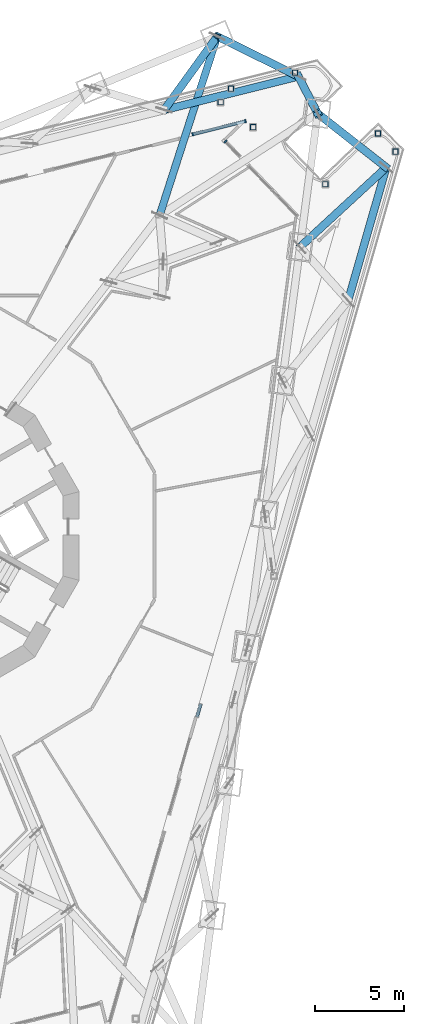
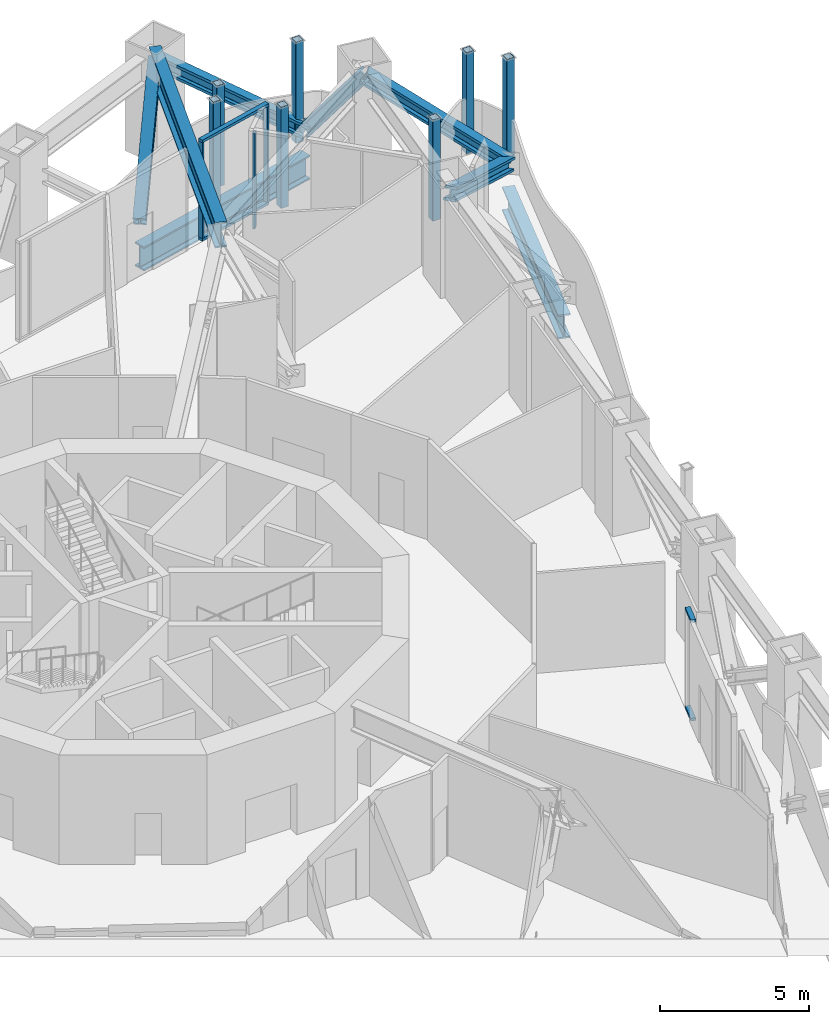
# One storey, part 6 of 26: 21 members, 1 beam, 3 elements without a shape of their own.
"""IFC4 building model written with IfcOpenShell, lengths in metres."""

from ifc_helpers import new_model, si_unit, direction, frame, origin, origin_2d, place, context, subcontext, project, spatial, rectangle, hollow_rectangle, i_section, extrude, material, layer, layer_set, material_profile, profile_set, type_object, element, aggregate, save


model = new_model("IFC4")

# Units and contexts
model_context = context("Model", 3, precision=1e-05, world=origin(), true_north=direction((0.0, 1.0)))
body_context = subcontext(model_context, "Body", "Model", "MODEL_VIEW")
ifc_project = project(units=[si_unit("LENGTHUNIT", "METRE"), si_unit("AREAUNIT", "SQUARE_METRE"), si_unit("VOLUMEUNIT", "CUBIC_METRE"), si_unit("PLANEANGLEUNIT", "RADIAN"), si_unit("MASSUNIT", "GRAM", prefix="KILO")], contexts=[model_context])

# Site, building, storey
site_placement = place(None, origin())
site = spatial("IfcSite", under=ifc_project, at=site_placement, CompositionType="ELEMENT")
building_placement = place(site_placement, origin())
building = spatial("IfcBuilding", under=site, at=building_placement, Name="Trine Commons Tower", CompositionType="ELEMENT")
storey_placement = place(building_placement, frame((0.0, 0.0, 119.699951171875)))
storey = spatial("IfcBuildingStorey", under=building, at=storey_placement, Name="L30", CompositionType="ELEMENT", Elevation=119.699951171875)

# Curtain wall, members
ifc_material_1 = material(Name="Sky lounge glazing: anodised aluminium frame with low-emissivity double glazed unit, solar control", Category="aluminium")
ifc_layer = layer(ifc_material_1, 0.179931640625)
ifc_layer_set = layer_set([ifc_layer], Name="Sky lounge glazing: anodised aluminium frame with low-emissivity double glazed unit, solar control")
curtain_wall_type = type_object("IfcCurtainWallType", Name="Sky lounge glazing curtain wall CW5", PredefinedType="NOTDEFINED", material=ifc_layer_set)
curtain_wall_1_placement = place(storey_placement, origin())
curtain_wall_1 = element("IfcCurtainWall", 1, at=curtain_wall_1_placement, inside=storey, type_object=curtain_wall_type, Name="Sky lounge glazing L30 F1.3", PredefinedType="NOTDEFINED")
ifc_material_2 = material(Name="Anodised aluminium, bronze finish", Category="aluminium")
ifc_material_profile_1 = material_profile(ifc_material_2, rectangle(XDim=0.179931640625, YDim=0.074951171875, at=origin_2d()), Name="Mullion 75x180")
ifc_profile_set_1 = profile_set([ifc_material_profile_1], Name="Anodised aluminium, bronze finish")
member_type_1 = type_object("IfcMemberType", Name="Mullion 75x180, Anodised aluminium, bronze finish", PredefinedType="MULLION", material=ifc_profile_set_1)
member_1_placement = place(storey_placement, frame((95.6435546875, 85.01220703125, 0.110107421875), z_axis=(0.0, 0.0, 1.0), x_axis=(-0.2419218956, 0.970295726276, 0.0)))
member_1 = element("IfcMember", 2, at=member_1_placement, type_object=member_type_1, Name="CW5 mullion 1.1", PredefinedType="MULLION", context=body_context, shape_type="SweptSolid", body=[
    extrude(rectangle(XDim=0.179931640625, YDim=0.074951171875, at=origin_2d()), origin(), (0.0, 0.0, 1.0), 3.929931640625),
])
member_2_placement = place(storey_placement, frame((98.587158203125, 85.74609375, 0.110107421875), z_axis=(0.0, 0.0, 1.0), x_axis=(-0.2419218956, 0.970295726276, 0.0)))
member_2 = element("IfcMember", 3, at=member_2_placement, type_object=member_type_1, Name="CW5 mullion 2.1", PredefinedType="MULLION", context=body_context, shape_type="SweptSolid", body=[
    extrude(rectangle(XDim=0.179931640625, YDim=0.074951171875, at=origin_2d()), origin(), (0.0, 0.0, 1.0), 3.929931640625),
])

# Curtain wall, member
curtain_wall_2_placement = place(storey_placement, origin())
curtain_wall_2 = element("IfcCurtainWall", 4, at=curtain_wall_2_placement, inside=storey, type_object=curtain_wall_type, Name="Sky lounge glazing L30 P2.1", PredefinedType="NOTDEFINED")
member_3_placement = place(storey_placement, frame((97.47607421875, 84.606689453125, 0.110107421875), z_axis=(0.0, 0.0, 1.0), x_axis=(0.719339800339, 0.694658370459, 0.0)))
member_3 = element("IfcMember", 5, at=member_3_placement, type_object=member_type_1, Name="CW5 mullion 1.1", PredefinedType="MULLION", context=body_context, shape_type="SweptSolid", body=[
    extrude(rectangle(XDim=0.179931640625, YDim=0.074951171875, at=origin_2d()), origin(), (0.0, 0.0, 1.0), 3.929931640625),
])
aggregate(curtain_wall_2, [member_3])

# Beam
ifc_material_3 = material(Name="Structural steel ASTM A992 Gr50", Category="steel")
ifc_material_profile_2 = material_profile(ifc_material_3, i_section(OverallWidth=0.412841796875, OverallDepth=1.0478515625, WebThickness=0.033935546875, FlangeThickness=0.059814453125, FilletRadius=0.030029296875, at=origin_2d()), Name="W40X431")
ifc_profile_set_2 = profile_set([ifc_material_profile_2], Name="Structural steel ASTM A992 Gr50")
beam_type = type_object("IfcBeamType", Name="Steel beam W40X431, ASTM A992 Gr50", PredefinedType="BEAM", material=ifc_profile_set_2)
beam_placement = place(storey_placement, frame((97.013671875, 90.4951171875, 3.626220703125), z_axis=(-0.306653679229, -0.951821160206, 0.0), x_axis=(0.951821160206, -0.306653679229, 0.0)))
element("IfcBeam", 6, at=beam_placement, inside=storey, type_object=beam_type, Name="Transfer truss girder T3-UV-03", PredefinedType="BEAM", context=body_context, shape_type="SweptSolid", body=[
    extrude(i_section(OverallWidth=0.412841796875, OverallDepth=1.0478515625, WebThickness=0.033935546875, FlangeThickness=0.059814453125, FilletRadius=0.030029296875, at=origin_2d()), origin(), (0.0, 0.0, 1.0), 10.544189453125),
])

# Members
ifc_material_profile_3 = material_profile(ifc_material_3, i_section(OverallWidth=0.43798828125, OverallDepth=0.514404296875, WebThickness=0.060546875, FlangeThickness=0.096923828125, FilletRadius=0.015380859375, at=origin_2d()), Name="W14X550")
ifc_profile_set_3 = profile_set([ifc_material_profile_3], Name="Structural steel ASTM A992 Gr50")
member_type_2 = type_object("IfcMemberType", Name="Steel brace W14X550, ASTM A992 Gr50", PredefinedType="BRACE", material=ifc_profile_set_3)
member_4_placement = place(storey_placement, frame((101.562744140625, 88.250244140625, 0.49365234375), z_axis=(-0.762999802436, 0.376524616723, 0.525414611982), x_axis=(-0.44252951597, -0.896753939214, 0.0)))
element("IfcMember", 7, at=member_4_placement, inside=storey, type_object=member_type_2, Name="Transfer truss brace T3-DG-31", PredefinedType="BRACE", context=body_context, shape_type="SweptSolid", body=[
    extrude(i_section(OverallWidth=0.43798828125, OverallDepth=0.514404296875, WebThickness=0.060546875, FlangeThickness=0.096923828125, FilletRadius=0.015380859375, at=origin_2d()), origin(), (0.0, 0.0, 1.0), 5.962158203125),
])
member_5_placement = place(storey_placement, frame((94.035400390625, 86.37353515625, 0.49365234375), z_axis=(0.498665748019, 0.690095512587, 0.524500386329), x_axis=(-0.810532343793, 0.585693878802, 0.0)))
element("IfcMember", 8, at=member_5_placement, inside=storey, type_object=member_type_2, Name="Transfer truss brace T3-DG-32", PredefinedType="BRACE", context=body_context, shape_type="SweptSolid", body=[
    extrude(i_section(OverallWidth=0.43798828125, OverallDepth=0.514404296875, WebThickness=0.060546875, FlangeThickness=0.096923828125, FilletRadius=0.015380859375, at=origin_2d()), origin(), (0.0, 0.0, 1.0), 5.972412109375),
])
member_6_placement = place(storey_placement, frame((101.562744140625, 88.250244140625, 0.49365234375), z_axis=(0.275215275031, -0.530115999894, 0.80201844059), x_axis=(0.887521589733, 0.460766131305, 0.0)))
element("IfcMember", 9, at=member_6_placement, inside=storey, type_object=member_type_2, Name="Transfer truss brace T3-DG-33", PredefinedType="BRACE", context=body_context, shape_type="SweptSolid", body=[
    extrude(i_section(OverallWidth=0.43798828125, OverallDepth=0.514404296875, WebThickness=0.060546875, FlangeThickness=0.096923828125, FilletRadius=0.015380859375, at=origin_2d()), origin(), (0.0, 0.0, 1.0), 3.90576171875),
])
member_7_placement = place(storey_placement, frame((106.4873046875, 83.15087890625, 0.49365234375), z_axis=(-0.662092628327, 0.520923461886, 0.538769058477), x_axis=(-0.618340906845, -0.785909996706, 0.0)))
element("IfcMember", 10, at=member_7_placement, inside=storey, type_object=member_type_2, Name="Transfer truss brace T3-DG-34", PredefinedType="BRACE", context=body_context, shape_type="SweptSolid", body=[
    extrude(i_section(OverallWidth=0.43798828125, OverallDepth=0.514404296875, WebThickness=0.060546875, FlangeThickness=0.096923828125, FilletRadius=0.015380859375, at=origin_2d()), origin(), (0.0, 0.0, 1.0), 5.814208984375),
])
member_8_placement = place(storey_placement, frame((106.4873046875, 83.15087890625, 0.49365234375), z_axis=(-0.663712339677, -0.612036276674, 0.429997123474), x_axis=(0.677908467964, -0.735146318131, 0.0)))
element("IfcMember", 11, at=member_8_placement, inside=storey, type_object=member_type_2, Name="Transfer truss brace T3-DG-36", PredefinedType="BRACE", context=body_context, shape_type="SweptSolid", body=[
    extrude(i_section(OverallWidth=0.43798828125, OverallDepth=0.514404296875, WebThickness=0.060546875, FlangeThickness=0.096923828125, FilletRadius=0.015380859375, at=origin_2d()), origin(), (0.0, 0.0, 1.0), 7.28515625),
])
ifc_material_profile_4 = material_profile(ifc_material_3, i_section(OverallWidth=0.431884765625, OverallDepth=0.9873046875, WebThickness=0.034423828125, FlangeThickness=0.06201171875, FilletRadius=0.024169921875, at=origin_2d()), Name="W36X441")
ifc_profile_set_4 = profile_set([ifc_material_profile_4], Name="Structural steel ASTM A992 Gr50")
member_type_3 = type_object("IfcMemberType", Name="Steel chord W36X441, ASTM A992 Gr50", PredefinedType="CHORD", material=ifc_profile_set_4)
member_9_placement = place(storey_placement, frame((94.035400390625, 86.37353515625, -0.943603515625), z_axis=(0.970297801936, 0.24191357043, 0.0), x_axis=(-0.24191357043, 0.970297801936, 0.0)))
element("IfcMember", 12, at=member_9_placement, inside=storey, type_object=member_type_3, Name="Transfer truss chord T3-LC-14", PredefinedType="CHORD", context=body_context, shape_type="SweptSolid", body=[
    extrude(i_section(OverallWidth=0.431884765625, OverallDepth=0.9873046875, WebThickness=0.034423828125, FlangeThickness=0.06201171875, FilletRadius=0.024169921875, at=origin_2d()), origin(), (0.0, 0.0, 1.0), 7.7578125),
])
member_10_placement = place(storey_placement, frame((106.4873046875, 83.15087890625, -0.943603515625), z_axis=(-0.275656226957, -0.961256284526, 0.0), x_axis=(0.961256284526, -0.275656226957, 0.0)))
element("IfcMember", 13, at=member_10_placement, inside=storey, type_object=member_type_3, Name="Transfer truss chord T3-LC-15", PredefinedType="CHORD", context=body_context, shape_type="SweptSolid", body=[
    extrude(i_section(OverallWidth=0.431884765625, OverallDepth=0.9873046875, WebThickness=0.034423828125, FlangeThickness=0.06201171875, FilletRadius=0.024169921875, at=origin_2d()), origin(), (0.0, 0.0, 1.0), 7.757568359375),
])
ifc_material_4 = material(Name="Structural steel ASTM A500 Gr C", Category="steel")
ifc_material_profile_5 = material_profile(ifc_material_4, hollow_rectangle(XDim=0.3046875, YDim=0.3046875, WallThickness=0.014892578125, InnerFilletRadius=0.00732421875, OuterFilletRadius=0.022216796875, at=origin_2d()), Name="HSS12X12X5/8")
ifc_profile_set_5 = profile_set([ifc_material_profile_5], Name="Structural steel ASTM A500 Gr C")
member_type_4 = type_object("IfcMemberType", Name="Steel post HSS12X12X5/8, ASTM A500 Gr C", PredefinedType="POST", material=ifc_profile_set_5)
for number, where, z_axis, x_axis, name in (
    (14, (101.369140625, 88.459716796875, 0.0), (0.0, 0.0, 1.0), (1.0, 0.0, 0.0), "Roof post SP3-51"),
    (15, (99.02685546875, 85.4072265625, 0.0), (0.0, 0.0, 1.0), (1.0, 0.0, 0.0), "Roof post SP3-52"),
    (16, (97.2021484375, 86.8076171875, 0.0), (0.0, 0.0, 1.0), (1.0, 0.0, 0.0), "Roof post SP3-53"),
    (17, (97.7841796875, 87.56591796875, 0.0), (0.0, 0.0, 1.0), (1.0, 0.0, 0.0), "Roof post SP3-54"),
    (18, (103.0732421875, 82.209716796875, 0.0), (0.0, 0.0, 1.0), (1.0, 0.0, 0.0), "Roof post SP3-61"),
    (19, (106.021728515625, 85.056884765625, 0.0), (0.0, 0.0, 1.0), (1.0, 0.0, 0.0), "Roof post SP3-62"),
    (20, (107.00244140625, 84.041259765625, 0.0), (0.0, 0.0, 1.0), (1.0, 0.0, 0.0), "Roof post SP3-63"),
):
    element("IfcMember", number, at=place(storey_placement, frame(where, z_axis=z_axis, x_axis=x_axis)), inside=storey, type_object=member_type_4, Name=name, PredefinedType="POST", context=body_context, shape_type="SweptSolid", body=[
        extrude(hollow_rectangle(XDim=0.3046875, YDim=0.3046875, WallThickness=0.014892578125, InnerFilletRadius=0.00732421875, OuterFilletRadius=0.022216796875, at=origin_2d()), origin(), (0.0, 0.0, 1.0), 4.150146484375),
    ])

# Member
ifc_material_profile_6 = material_profile(ifc_material_2, rectangle(XDim=0.179931640625, YDim=0.110107421875, at=origin_2d()), Name="Transom 110x180")
ifc_profile_set_6 = profile_set([ifc_material_profile_6], Name="Anodised aluminium, bronze finish")
member_type_5 = type_object("IfcMemberType", Name="Transom 110x180, Anodised aluminium, bronze finish", PredefinedType="USERDEFINED", material=ifc_profile_set_6)
member_11_placement = place(storey_placement, frame((95.607177734375, 85.003173828125, 0.054931640625), z_axis=(0.970303974939, 0.241888809617, 0.0), x_axis=(-0.241888809617, 0.970303974939, 0.0)))
member_11 = element("IfcMember", 21, at=member_11_placement, type_object=member_type_5, Name="CW5 transom T00", ObjectType="TRANSOM", PredefinedType="USERDEFINED", context=body_context, shape_type="SweptSolid", body=[
    extrude(rectangle(XDim=0.179931640625, YDim=0.110107421875, at=origin_2d()), origin(), (0.0, 0.0, 1.0), 3.108642578125),
])

member_12_placement = place(storey_placement, frame((95.607177734375, 85.003173828125, 4.094970703125), z_axis=(0.970303974939, 0.241888809617, 0.0), x_axis=(-0.241888809617, 0.970303974939, 0.0)))
member_12 = element("IfcMember", 22, at=member_12_placement, type_object=member_type_5, Name="CW5 transom TH00", ObjectType="TRANSOM", PredefinedType="USERDEFINED", context=body_context, shape_type="SweptSolid", body=[
    extrude(rectangle(XDim=0.179931640625, YDim=0.110107421875, at=origin_2d()), origin(), (0.0, 0.0, 1.0), 3.108642578125),
])

aggregate(curtain_wall_1, [member_11, member_12, member_1, member_2])

# Curtain wall, members
curtain_wall_3_placement = place(storey_placement, origin())
curtain_wall_3 = element("IfcCurtainWall", 23, at=curtain_wall_3_placement, inside=storey, type_object=curtain_wall_type, Name="Sky lounge glazing L30 F2.1", PredefinedType="NOTDEFINED")
member_13_placement = place(storey_placement, frame((96.09033203125, 53.09716796875, 0.054931640625), z_axis=(-0.275507575308, -0.96129890042, 0.0), x_axis=(0.96129890042, -0.275507575308, 0.0)))
member_13 = element("IfcMember", 24, at=member_13_placement, type_object=member_type_5, Name="CW5 transom T00", ObjectType="TRANSOM", PredefinedType="USERDEFINED", context=body_context, shape_type="SweptSolid", body=[
    extrude(rectangle(XDim=0.179931640625, YDim=0.110107421875, at=origin_2d()), origin(), (0.0, 0.0, 1.0), 0.77880859375),
])
member_14_placement = place(storey_placement, frame((96.09033203125, 53.09716796875, 4.094970703125), z_axis=(-0.275507575308, -0.96129890042, 0.0), x_axis=(0.96129890042, -0.275507575308, 0.0)))
member_14 = element("IfcMember", 25, at=member_14_placement, type_object=member_type_5, Name="CW5 transom TH00", ObjectType="TRANSOM", PredefinedType="USERDEFINED", context=body_context, shape_type="SweptSolid", body=[
    extrude(rectangle(XDim=0.179931640625, YDim=0.110107421875, at=origin_2d()), origin(), (0.0, 0.0, 1.0), 0.77880859375),
])
aggregate(curtain_wall_3, [member_13, member_14])

save(model, "model.ifc")
